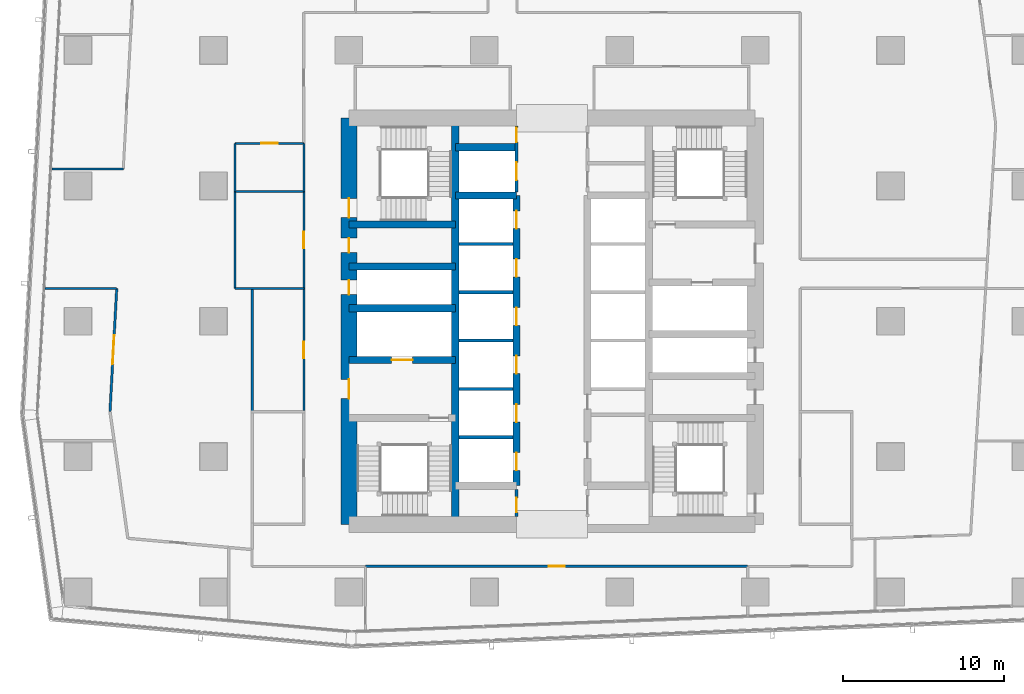
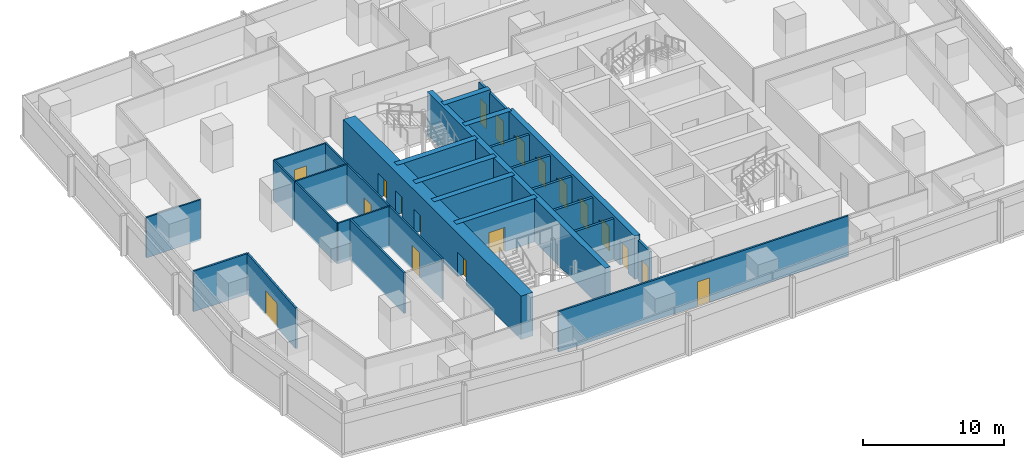
# One storey, part 29 of 40: 29 walls, 19 doors, 19 openings.
"""IFC4 building model written with IfcOpenShell, lengths in metres."""

from ifc_helpers import new_model, si_unit, direction, frame, frame_2d, origin, place, context, subcontext, project, spatial, rectangle, extrude, material, layer, layer_set, type_object, element, fill, save


model = new_model("IFC4")

# Units and contexts
model_context = context("Model", 3, precision=1e-05, world=origin(), true_north=direction((0.0, 1.0)))
body_context = subcontext(model_context, "Body", "Model", "MODEL_VIEW")
ifc_project = project(units=[si_unit("LENGTHUNIT", "METRE"), si_unit("AREAUNIT", "SQUARE_METRE"), si_unit("VOLUMEUNIT", "CUBIC_METRE"), si_unit("PLANEANGLEUNIT", "RADIAN"), si_unit("MASSUNIT", "GRAM", prefix="KILO")], contexts=[model_context])

# Site, building, storey
site_placement = place(None, origin())
site = spatial("IfcSite", under=ifc_project, at=site_placement, CompositionType="ELEMENT")
building_placement = place(site_placement, origin())
building = spatial("IfcBuilding", under=site, at=building_placement, Name="Rekha Terrace Tower", CompositionType="ELEMENT")
storey_placement = place(building_placement, frame((0.0, 0.0, 110.300048828125)))
storey = spatial("IfcBuildingStorey", under=building, at=storey_placement, Name="L27", CompositionType="ELEMENT", Elevation=110.300048828125)

# Wall
ifc_material_1 = material(Name="Concrete M70", Category="concrete")
ifc_layer_1 = layer(ifc_material_1, 0.449951171875)
ifc_layer_set_1 = layer_set([ifc_layer_1], Name="Concrete M70")
wall_type_1 = type_object("IfcWallType", Name="CI2 450 core internal shear wall", PredefinedType="SHEAR", material=ifc_layer_set_1)
wall_1_placement = place(storey_placement, frame((31.800048828125, 21.0, 0.0), z_axis=(0.0, 0.0, 1.0), x_axis=(0.0, 1.0, 0.0)))
element("IfcWall", 1, at=wall_1_placement, inside=storey, type_object=wall_type_1, Name="Core wall X318 L27", PredefinedType="SHEAR", context=body_context, shape_type="SweptSolid", body=[
    extrude(rectangle(XDim=25.199951171875, YDim=0.449951171875, at=frame_2d((12.60009765625, 0.0))), origin(), (0.0, 0.0, 1.0), 3.75),
])

# Wall, openings, doors
wall_2_placement = place(storey_placement, frame((35.60009765625, 23.39990234375, 0.0), z_axis=(0.0, 0.0, 1.0), x_axis=(0.0, 1.0, 0.0)))
wall_2 = element("IfcWall", 2, at=wall_2_placement, inside=storey, type_object=wall_type_1, Name="Core wall X356 L27", PredefinedType="SHEAR", context=body_context, shape_type="SweptSolid", body=[
    extrude(rectangle(XDim=18.0, YDim=0.449951171875, at=frame_2d((9.0, 0.0))), origin(), (0.0, 0.0, 1.0), 3.75),
])
opening_1_placement = place(wall_2_placement, frame((0.949951171875, 0.0, 0.0)))
opening_1 = element("IfcOpeningElement", 3, at=opening_1_placement, cuts=wall_2, Name="Opening LD1", PredefinedType="OPENING", context=body_context, shape_type="SweptSolid", body=[
    extrude(rectangle(XDim=1.10009765625, YDim=2.10009765625, at=frame_2d((0.550048828125, 1.050048828125))), frame((0.0, 0.23486328125, 0.0), z_axis=(0.0, -1.0, 0.0), x_axis=(1.0, 0.0, 0.0)), (0.0, 0.0, 1.0), 0.469970703125),
])
opening_2_placement = place(wall_2_placement, frame((3.949951171875, 0.0, 0.0)))
opening_2 = element("IfcOpeningElement", 4, at=opening_2_placement, cuts=wall_2, Name="Opening LD1", PredefinedType="OPENING", context=body_context, shape_type="SweptSolid", body=[
    extrude(rectangle(XDim=1.10009765625, YDim=2.10009765625, at=frame_2d((0.550048828125, 1.050048828125))), frame((0.0, 0.23486328125, 0.0), z_axis=(0.0, -1.0, 0.0), x_axis=(1.0, 0.0, 0.0)), (0.0, 0.0, 1.0), 0.469970703125),
])
opening_3_placement = place(wall_2_placement, frame((6.949951171875, 0.0, 0.0)))
opening_3 = element("IfcOpeningElement", 5, at=opening_3_placement, cuts=wall_2, Name="Opening LD1", PredefinedType="OPENING", context=body_context, shape_type="SweptSolid", body=[
    extrude(rectangle(XDim=1.10009765625, YDim=2.10009765625, at=frame_2d((0.550048828125, 1.050048828125))), frame((0.0, 0.23486328125, 0.0), z_axis=(0.0, -1.0, 0.0), x_axis=(1.0, 0.0, 0.0)), (0.0, 0.0, 1.0), 0.469970703125),
])
opening_4_placement = place(wall_2_placement, frame((9.949951171875, 0.0, 0.0)))
opening_4 = element("IfcOpeningElement", 6, at=opening_4_placement, cuts=wall_2, Name="Opening LD1", PredefinedType="OPENING", context=body_context, shape_type="SweptSolid", body=[
    extrude(rectangle(XDim=1.10009765625, YDim=2.10009765625, at=frame_2d((0.550048828125, 1.050048828125))), frame((0.0, 0.23486328125, 0.0), z_axis=(0.0, -1.0, 0.0), x_axis=(1.0, 0.0, 0.0)), (0.0, 0.0, 1.0), 0.469970703125),
])
opening_5_placement = place(wall_2_placement, frame((12.949951171875, 0.0, 0.0)))
opening_5 = element("IfcOpeningElement", 7, at=opening_5_placement, cuts=wall_2, Name="Opening LD1", PredefinedType="OPENING", context=body_context, shape_type="SweptSolid", body=[
    extrude(rectangle(XDim=1.10009765625, YDim=2.10009765625, at=frame_2d((0.550048828125, 1.050048828125))), frame((0.0, 0.23486328125, 0.0), z_axis=(0.0, -1.0, 0.0), x_axis=(1.0, 0.0, 0.0)), (0.0, 0.0, 1.0), 0.469970703125),
])
opening_6_placement = place(wall_2_placement, frame((15.949951171875, 0.0, 0.0)))
opening_6 = element("IfcOpeningElement", 8, at=opening_6_placement, cuts=wall_2, Name="Opening LD1", PredefinedType="OPENING", context=body_context, shape_type="SweptSolid", body=[
    extrude(rectangle(XDim=1.10009765625, YDim=2.10009765625, at=frame_2d((0.550048828125, 1.050048828125))), frame((0.0, 0.23486328125, 0.0), z_axis=(0.0, -1.0, 0.0), x_axis=(1.0, 0.0, 0.0)), (0.0, 0.0, 1.0), 0.469970703125),
])
ifc_material_2 = material(Name="Stainless steel sliding landing door", Category="steel")
door_type_1 = type_object("IfcDoorType", Name="LD1 1100x2100 lift landing door", OperationType="SLIDING_TO_LEFT", PredefinedType="USERDEFINED", material=ifc_material_2)
door_1_placement = place(opening_1_placement, origin())
door_1 = element("IfcDoor", 9, at=door_1_placement, inside=storey, type_object=door_type_1, Name="Lift B1 landing door L27", ObjectType="LIFT LANDING DOOR", OperationType="SLIDING_TO_LEFT", OverallHeight=2.10009765625, OverallWidth=1.10009765625, PredefinedType="USERDEFINED", context=body_context, shape_type="SweptSolid", body=[
    extrude(rectangle(XDim=1.10009765625, YDim=2.10009765625, at=frame_2d((0.550048828125, 1.050048828125))), frame((0.0, 0.02490234375, 0.0), z_axis=(0.0, -1.0, 0.0), x_axis=(1.0, 0.0, 0.0)), (0.0, 0.0, 1.0), 0.050048828125),
])
fill(opening_1, door_1)
door_2_placement = place(opening_2_placement, origin())
door_2 = element("IfcDoor", 10, at=door_2_placement, inside=storey, type_object=door_type_1, Name="Lift B2 landing door L27", ObjectType="LIFT LANDING DOOR", OperationType="SLIDING_TO_LEFT", OverallHeight=2.10009765625, OverallWidth=1.10009765625, PredefinedType="USERDEFINED", context=body_context, shape_type="SweptSolid", body=[
    extrude(rectangle(XDim=1.10009765625, YDim=2.10009765625, at=frame_2d((0.550048828125, 1.050048828125))), frame((0.0, 0.02490234375, 0.0), z_axis=(0.0, -1.0, 0.0), x_axis=(1.0, 0.0, 0.0)), (0.0, 0.0, 1.0), 0.050048828125),
])
fill(opening_2, door_2)
door_3_placement = place(opening_3_placement, origin())
door_3 = element("IfcDoor", 11, at=door_3_placement, inside=storey, type_object=door_type_1, Name="Lift B3 landing door L27", ObjectType="LIFT LANDING DOOR", OperationType="SLIDING_TO_LEFT", OverallHeight=2.10009765625, OverallWidth=1.10009765625, PredefinedType="USERDEFINED", context=body_context, shape_type="SweptSolid", body=[
    extrude(rectangle(XDim=1.10009765625, YDim=2.10009765625, at=frame_2d((0.550048828125, 1.050048828125))), frame((0.0, 0.02490234375, 0.0), z_axis=(0.0, -1.0, 0.0), x_axis=(1.0, 0.0, 0.0)), (0.0, 0.0, 1.0), 0.050048828125),
])
fill(opening_3, door_3)
door_4_placement = place(opening_4_placement, origin())
door_4 = element("IfcDoor", 12, at=door_4_placement, inside=storey, type_object=door_type_1, Name="Lift B4 landing door L27", ObjectType="LIFT LANDING DOOR", OperationType="SLIDING_TO_LEFT", OverallHeight=2.10009765625, OverallWidth=1.10009765625, PredefinedType="USERDEFINED", context=body_context, shape_type="SweptSolid", body=[
    extrude(rectangle(XDim=1.10009765625, YDim=2.10009765625, at=frame_2d((0.550048828125, 1.050048828125))), frame((0.0, 0.02490234375, 0.0), z_axis=(0.0, -1.0, 0.0), x_axis=(1.0, 0.0, 0.0)), (0.0, 0.0, 1.0), 0.050048828125),
])
fill(opening_4, door_4)
door_5_placement = place(opening_5_placement, origin())
door_5 = element("IfcDoor", 13, at=door_5_placement, inside=storey, type_object=door_type_1, Name="Lift B5 landing door L27", ObjectType="LIFT LANDING DOOR", OperationType="SLIDING_TO_LEFT", OverallHeight=2.10009765625, OverallWidth=1.10009765625, PredefinedType="USERDEFINED", context=body_context, shape_type="SweptSolid", body=[
    extrude(rectangle(XDim=1.10009765625, YDim=2.10009765625, at=frame_2d((0.550048828125, 1.050048828125))), frame((0.0, 0.02490234375, 0.0), z_axis=(0.0, -1.0, 0.0), x_axis=(1.0, 0.0, 0.0)), (0.0, 0.0, 1.0), 0.050048828125),
])
fill(opening_5, door_5)
door_6_placement = place(opening_6_placement, origin())
door_6 = element("IfcDoor", 14, at=door_6_placement, inside=storey, type_object=door_type_1, Name="Lift B6 landing door L27", ObjectType="LIFT LANDING DOOR", OperationType="SLIDING_TO_LEFT", OverallHeight=2.10009765625, OverallWidth=1.10009765625, PredefinedType="USERDEFINED", context=body_context, shape_type="SweptSolid", body=[
    extrude(rectangle(XDim=1.10009765625, YDim=2.10009765625, at=frame_2d((0.550048828125, 1.050048828125))), frame((0.0, 0.02490234375, 0.0), z_axis=(0.0, -1.0, 0.0), x_axis=(1.0, 0.0, 0.0)), (0.0, 0.0, 1.0), 0.050048828125),
])
fill(opening_6, door_6)

# Walls
for number, where, z_axis, x_axis, name in (
    (15, (31.800048828125, 41.39990234375, 0.0), (0.0, 0.0, 1.0), (1.0, 0.0, 0.0), "Core wall Y414W L27"),
    (16, (31.800048828125, 44.39990234375, 0.0), (0.0, 0.0, 1.0), (1.0, 0.0, 0.0), "Core wall Y444W L27"),
):
    element("IfcWall", number, at=place(storey_placement, frame(where, z_axis=z_axis, x_axis=x_axis)), inside=storey, type_object=wall_type_1, Name=name, PredefinedType="SHEAR", context=body_context, shape_type="SweptSolid", body=[
        extrude(rectangle(XDim=3.800048828125, YDim=0.449951171875, at=frame_2d((1.89990234375, 0.0))), origin(), (0.0, 0.0, 1.0), 3.75),
    ])

# Wall, opening, door
wall_3_placement = place(storey_placement, frame((25.199951171875, 31.199951171875, 0.0), z_axis=(0.0, 0.0, 1.0), x_axis=(1.0, 0.0, 0.0)))
wall_3 = element("IfcWall", 17, at=wall_3_placement, inside=storey, type_object=wall_type_1, Name="Core wall Y312W L27", PredefinedType="SHEAR", context=body_context, shape_type="SweptSolid", body=[
    extrude(rectangle(XDim=6.60009765625, YDim=0.449951171875, at=frame_2d((3.300048828125, 0.0))), origin(), (0.0, 0.0, 1.0), 3.75),
])
opening_7_placement = place(wall_3_placement, frame((2.64990234375, 0.0, 0.0)))
opening_7 = element("IfcOpeningElement", 18, at=opening_7_placement, cuts=wall_3, Name="Opening LD2", PredefinedType="OPENING", context=body_context, shape_type="SweptSolid", body=[
    extrude(rectangle(XDim=1.300048828125, YDim=2.10009765625, at=frame_2d((0.64990234375, 1.050048828125))), frame((0.0, 0.23486328125, 0.0), z_axis=(0.0, -1.0, 0.0), x_axis=(1.0, 0.0, 0.0)), (0.0, 0.0, 1.0), 0.469970703125),
])
door_type_2 = type_object("IfcDoorType", Name="LD2 1300x2100 fire lift landing door", OperationType="SLIDING_TO_LEFT", PredefinedType="USERDEFINED", material=ifc_material_2)
door_7_placement = place(opening_7_placement, origin())
door_7 = element("IfcDoor", 19, at=door_7_placement, inside=storey, type_object=door_type_2, Name="Lift FL1 landing door L27", ObjectType="LIFT LANDING DOOR", OperationType="SLIDING_TO_LEFT", OverallHeight=2.10009765625, OverallWidth=1.300048828125, PredefinedType="USERDEFINED", context=body_context, shape_type="SweptSolid", body=[
    extrude(rectangle(XDim=1.300048828125, YDim=2.10009765625, at=frame_2d((0.64990234375, 1.050048828125))), frame((0.0, 0.02490234375, 0.0), z_axis=(0.0, -1.0, 0.0), x_axis=(1.0, 0.0, 0.0)), (0.0, 0.0, 1.0), 0.050048828125),
])
fill(opening_7, door_7)

# Walls
for number, where, z_axis, x_axis, name in (
    (20, (25.199951171875, 34.39990234375, 0.0), (0.0, 0.0, 1.0), (1.0, 0.0, 0.0), "Core wall Y344W L27"),
    (21, (25.199951171875, 37.0, 0.0), (0.0, 0.0, 1.0), (1.0, 0.0, 0.0), "Core wall Y370W L27"),
    (22, (25.199951171875, 39.60009765625, 0.0), (0.0, 0.0, 1.0), (1.0, 0.0, 0.0), "Core wall Y396W L27"),
):
    element("IfcWall", number, at=place(storey_placement, frame(where, z_axis=z_axis, x_axis=x_axis)), inside=storey, type_object=wall_type_1, Name=name, PredefinedType="SHEAR", context=body_context, shape_type="SweptSolid", body=[
        extrude(rectangle(XDim=6.60009765625, YDim=0.449951171875, at=frame_2d((3.300048828125, 0.0))), origin(), (0.0, 0.0, 1.0), 3.75),
    ])

# Wall, openings, doors
ifc_layer_2 = layer(ifc_material_1, 1.0)
ifc_layer_set_2 = layer_set([ifc_layer_2], Name="Concrete M70")
wall_type_2 = type_object("IfcWallType", Name="SW2 1000 core outer shear wall", PredefinedType="SHEAR", material=ifc_layer_set_2)
wall_4_placement = place(storey_placement, frame((25.199951171875, 21.0, 0.0), z_axis=(0.0, 0.0, 1.0), x_axis=(0.0, 1.0, 0.0)))
wall_4 = element("IfcWall", 23, at=wall_4_placement, inside=storey, type_object=wall_type_2, Name="Core wall W L27", PredefinedType="SHEAR", context=body_context, shape_type="SweptSolid", body=[
    extrude(rectangle(XDim=25.199951171875, YDim=1.0, at=frame_2d((12.60009765625, 0.0))), origin(), (0.0, 0.0, 1.0), 3.75),
])
opening_8_placement = place(wall_4_placement, frame((7.800048828125, 0.0, 0.0)))
opening_8 = element("IfcOpeningElement", 24, at=opening_8_placement, cuts=wall_4, Name="Opening D2", PredefinedType="OPENING", context=body_context, shape_type="SweptSolid", body=[
    extrude(rectangle(XDim=1.199951171875, YDim=2.10009765625, at=frame_2d((0.60009765625, 1.050048828125))), frame((0.0, 0.510009765625, 0.0), z_axis=(0.0, -1.0, 0.0), x_axis=(1.0, 0.0, 0.0)), (0.0, 0.0, 1.0), 1.02001953125),
])
opening_9_placement = place(wall_4_placement, frame((14.25, 0.0, 0.0)))
opening_9 = element("IfcOpeningElement", 25, at=opening_9_placement, cuts=wall_4, Name="Opening D5", PredefinedType="OPENING", context=body_context, shape_type="SweptSolid", body=[
    extrude(rectangle(XDim=0.89990234375, YDim=2.10009765625, at=frame_2d((0.449951171875, 1.050048828125))), frame((0.0, 0.510009765625, 0.0), z_axis=(0.0, -1.0, 0.0), x_axis=(1.0, 0.0, 0.0)), (0.0, 0.0, 1.0), 1.02001953125),
])
opening_10_placement = place(wall_4_placement, frame((16.85009765625, 0.0, 0.0)))
opening_10 = element("IfcOpeningElement", 26, at=opening_10_placement, cuts=wall_4, Name="Opening D5", PredefinedType="OPENING", context=body_context, shape_type="SweptSolid", body=[
    extrude(rectangle(XDim=0.89990234375, YDim=2.10009765625, at=frame_2d((0.449951171875, 1.050048828125))), frame((0.0, 0.510009765625, 0.0), z_axis=(0.0, -1.0, 0.0), x_axis=(1.0, 0.0, 0.0)), (0.0, 0.0, 1.0), 1.02001953125),
])
opening_11_placement = place(wall_4_placement, frame((19.02490234375, 0.0, 0.0)))
opening_11 = element("IfcOpeningElement", 27, at=opening_11_placement, cuts=wall_4, Name="Opening D1", PredefinedType="OPENING", context=body_context, shape_type="SweptSolid", body=[
    extrude(rectangle(XDim=1.199951171875, YDim=2.10009765625, at=frame_2d((0.60009765625, 1.050048828125))), frame((0.0, 0.510009765625, 0.0), z_axis=(0.0, -1.0, 0.0), x_axis=(1.0, 0.0, 0.0)), (0.0, 0.0, 1.0), 1.02001953125),
])
ifc_material_3 = material(Name="Steel fire door", Category="steel")
door_type_3 = type_object("IfcDoorType", Name="D1 1200x2100 stair fire door", OperationType="SINGLE_SWING_RIGHT", PredefinedType="DOOR", material=ifc_material_3)
door_8_placement = place(opening_11_placement, origin())
door_8 = element("IfcDoor", 28, at=door_8_placement, inside=storey, type_object=door_type_3, Name="Stair ST4 door L27", OperationType="SINGLE_SWING_RIGHT", OverallHeight=2.10009765625, OverallWidth=1.199951171875, PredefinedType="DOOR", context=body_context, shape_type="SweptSolid", body=[
    extrude(rectangle(XDim=1.199951171875, YDim=2.10009765625, at=frame_2d((0.60009765625, 1.050048828125))), frame((0.0, 0.02490234375, 0.0), z_axis=(0.0, -1.0, 0.0), x_axis=(1.0, 0.0, 0.0)), (0.0, 0.0, 1.0), 0.050048828125),
])
fill(opening_11, door_8)
door_type_4 = type_object("IfcDoorType", Name="D2 1200x2100 firefighting lobby door", OperationType="SINGLE_SWING_LEFT", PredefinedType="DOOR", material=ifc_material_3)
door_9_placement = place(opening_8_placement, origin())
door_9 = element("IfcDoor", 29, at=door_9_placement, inside=storey, type_object=door_type_4, Name="Door flb1 L27", OperationType="SINGLE_SWING_LEFT", OverallHeight=2.10009765625, OverallWidth=1.199951171875, PredefinedType="DOOR", context=body_context, shape_type="SweptSolid", body=[
    extrude(rectangle(XDim=1.199951171875, YDim=2.10009765625, at=frame_2d((0.60009765625, 1.050048828125))), frame((0.0, 0.02490234375, 0.0), z_axis=(0.0, -1.0, 0.0), x_axis=(1.0, 0.0, 0.0)), (0.0, 0.0, 1.0), 0.050048828125),
])
fill(opening_8, door_9)
door_type_5 = type_object("IfcDoorType", Name="D5 900x2100 riser access door", OperationType="SINGLE_SWING_LEFT", PredefinedType="DOOR", material=ifc_material_3)
door_10_placement = place(opening_9_placement, origin())
door_10 = element("IfcDoor", 30, at=door_10_placement, inside=storey, type_object=door_type_5, Name="Door rs1 L27", OperationType="SINGLE_SWING_LEFT", OverallHeight=2.10009765625, OverallWidth=0.89990234375, PredefinedType="DOOR", context=body_context, shape_type="SweptSolid", body=[
    extrude(rectangle(XDim=0.89990234375, YDim=2.10009765625, at=frame_2d((0.449951171875, 1.050048828125))), frame((0.0, 0.02490234375, 0.0), z_axis=(0.0, -1.0, 0.0), x_axis=(1.0, 0.0, 0.0)), (0.0, 0.0, 1.0), 0.050048828125),
])
fill(opening_9, door_10)
door_11_placement = place(opening_10_placement, origin())
door_11 = element("IfcDoor", 31, at=door_11_placement, inside=storey, type_object=door_type_5, Name="Door elw L27", OperationType="SINGLE_SWING_LEFT", OverallHeight=2.10009765625, OverallWidth=0.89990234375, PredefinedType="DOOR", context=body_context, shape_type="SweptSolid", body=[
    extrude(rectangle(XDim=0.89990234375, YDim=2.10009765625, at=frame_2d((0.449951171875, 1.050048828125))), frame((0.0, 0.02490234375, 0.0), z_axis=(0.0, -1.0, 0.0), x_axis=(1.0, 0.0, 0.0)), (0.0, 0.0, 1.0), 0.050048828125),
])
fill(opening_10, door_11)

# Wall
ifc_material_4 = material(Name="Concrete block masonry, 1 hour", Category="masonry")
ifc_layer_3 = layer(ifc_material_4, 0.14990234375)
ifc_layer_set_3 = layer_set([ifc_layer_3], Name="Concrete block masonry, 1 hour")
wall_type_3 = type_object("IfcWallType", Name="WP2 150 tenancy partition", PredefinedType="PARTITIONING", material=ifc_layer_set_3)
wall_5_placement = place(storey_placement, frame((19.199951171875, 35.574951171875, 0.0), z_axis=(0.0, 0.0, 1.0), x_axis=(0.0, -1.0, 0.0)))
element("IfcWall", 32, at=wall_5_placement, inside=storey, type_object=wall_type_3, Name="Partition L27-O2", PredefinedType="PARTITIONING", context=body_context, shape_type="SweptSolid", body=[
    extrude(rectangle(XDim=7.64990234375, YDim=0.14990234375, at=frame_2d((3.824951171875, 0.0))), origin(), (0.0, 0.0, 1.0), 3.5),
])

# Wall, opening, door
wall_6_placement = place(storey_placement, frame((10.381103515625, 28.006103515625, 0.0), z_axis=(0.0, 0.0, 1.0), x_axis=(0.054839895522, 0.998495160659, 0.0)))
wall_6 = element("IfcWall", 33, at=wall_6_placement, inside=storey, type_object=wall_type_3, Name="Partition L27-O2", PredefinedType="PARTITIONING", context=body_context, shape_type="SweptSolid", body=[
    extrude(rectangle(XDim=7.639404296875, YDim=0.14990234375, at=frame_2d((3.81982421875, 0.0))), origin(), (0.0, 0.0, 1.0), 3.5),
])
opening_12_placement = place(wall_6_placement, frame((2.919921875, 0.0, 0.0)))
opening_12 = element("IfcOpeningElement", 34, at=opening_12_placement, cuts=wall_6, Name="Opening D8", PredefinedType="OPENING", context=body_context, shape_type="SweptSolid", body=[
    extrude(rectangle(XDim=1.800048828125, YDim=2.10009765625, at=frame_2d((0.89990234375, 1.050048828125))), frame((0.0, 0.0849609375, 0.0), z_axis=(0.0, -1.0, 0.0), x_axis=(1.0, 0.0, 0.0)), (0.0, 0.0, 1.0), 0.169921875),
])
ifc_material_5 = material(Name="Timber fire door", Category="wood")
door_type_6 = type_object("IfcDoorType", Name="D8 1800x2100 double leaf door", OperationType="DOUBLE_DOOR_SINGLE_SWING", PredefinedType="DOOR", material=ifc_material_5)
door_12_placement = place(opening_12_placement, origin())
door_12 = element("IfcDoor", 35, at=door_12_placement, inside=storey, type_object=door_type_6, Name="Door meeting room L27", OperationType="DOUBLE_DOOR_SINGLE_SWING", OverallHeight=2.10009765625, OverallWidth=1.800048828125, PredefinedType="DOOR", context=body_context, shape_type="SweptSolid", body=[
    extrude(rectangle(XDim=1.800048828125, YDim=2.10009765625, at=frame_2d((0.89990234375, 1.050048828125))), frame((0.0, 0.02490234375, 0.0), z_axis=(0.0, -1.0, 0.0), x_axis=(1.0, 0.0, 0.0)), (0.0, 0.0, 1.0), 0.050048828125),
])
fill(opening_12, door_12)

# Wall
wall_7_placement = place(storey_placement, frame((10.800048828125, 35.634033203125, 0.0), z_axis=(0.0, 0.0, 1.0), x_axis=(-1.0, 0.0, 0.0)))
element("IfcWall", 36, at=wall_7_placement, inside=storey, type_object=wall_type_3, Name="Partition L27-O2", PredefinedType="PARTITIONING", context=body_context, shape_type="SweptSolid", body=[
    extrude(rectangle(XDim=4.45703125, YDim=0.14990234375, at=frame_2d((2.228515625, 0.0))), origin(), (0.0, 0.0, 1.0), 3.5),
])

# Wall, opening, door
wall_8_placement = place(storey_placement, frame((26.23388671875, 18.39990234375, 0.0), z_axis=(0.0, 0.0, 1.0), x_axis=(1.0, 0.0, 0.0)))
wall_8 = element("IfcWall", 37, at=wall_8_placement, inside=storey, type_object=wall_type_3, Name="Partition L27-O3", PredefinedType="PARTITIONING", context=body_context, shape_type="SweptSolid", body=[
    extrude(rectangle(XDim=23.7021484375, YDim=0.14990234375, at=frame_2d((11.85107421875, 0.0))), origin(), (0.0, 0.0, 1.0), 3.5),
])
opening_13_placement = place(wall_8_placement, frame((11.35107421875, 0.0, 0.0)))
opening_13 = element("IfcOpeningElement", 38, at=opening_13_placement, cuts=wall_8, Name="Opening D9", PredefinedType="OPENING", context=body_context, shape_type="SweptSolid", body=[
    extrude(rectangle(XDim=1.0, YDim=2.10009765625, at=frame_2d((0.5, 1.050048828125))), frame((0.0, 0.0849609375, 0.0), z_axis=(0.0, -1.0, 0.0), x_axis=(1.0, 0.0, 0.0)), (0.0, 0.0, 1.0), 0.169921875),
])
door_type_7 = type_object("IfcDoorType", Name="D9 1000x2100 office door", OperationType="SINGLE_SWING_LEFT", PredefinedType="DOOR", material=ifc_material_5)
door_13_placement = place(opening_13_placement, origin())
door_13 = element("IfcDoor", 39, at=door_13_placement, inside=storey, type_object=door_type_7, Name="Door open-plan office L27", OperationType="SINGLE_SWING_LEFT", OverallHeight=2.10009765625, OverallWidth=1.0, PredefinedType="DOOR", context=body_context, shape_type="SweptSolid", body=[
    extrude(rectangle(XDim=1.0, YDim=2.10009765625, at=frame_2d((0.5, 1.050048828125))), frame((0.0, 0.02490234375, 0.0), z_axis=(0.0, -1.0, 0.0), x_axis=(1.0, 0.0, 0.0)), (0.0, 0.0, 1.0), 0.050048828125),
])
fill(opening_13, door_13)

# Walls
ifc_material_6 = material(Name="Two layers of fire-rated gypsum board each side on steel studs, acoustic quilt, 1 hour", Category="steel")
ifc_layer_4 = layer(ifc_material_6, 0.125)
ifc_layer_set_4 = layer_set([ifc_layer_4], Name="Two layers of fire-rated gypsum board each side on steel studs, acoustic quilt, 1 hour")
wall_type_4 = type_object("IfcWallType", Name="WP3 125 office partition", PredefinedType="PARTITIONING", material=ifc_layer_set_4)
wall_9_placement = place(storey_placement, frame((11.2060546875, 43.0458984375, 0.0), z_axis=(0.0, 0.0, 1.0), x_axis=(-1.0, 0.0, 0.0)))
element("IfcWall", 40, at=wall_9_placement, inside=storey, type_object=wall_type_4, Name="Partition L27-15", PredefinedType="PARTITIONING", context=body_context, shape_type="SweptSolid", body=[
    extrude(rectangle(XDim=4.427001953125, YDim=0.125, at=frame_2d((2.21337890625, 0.0))), origin(), (0.0, 0.0, 1.0), 3.5),
])
wall_10_placement = place(storey_placement, frame((18.14990234375, 35.637939453125, 0.0), z_axis=(0.0, 0.0, 1.0), x_axis=(0.0, 1.0, 0.0)))
element("IfcWall", 41, at=wall_10_placement, inside=storey, type_object=wall_type_4, Name="Partition L27-16", PredefinedType="PARTITIONING", context=body_context, shape_type="SweptSolid", body=[
    extrude(rectangle(XDim=5.9990234375, YDim=0.125, at=frame_2d((2.99951171875, 0.0))), origin(), (0.0, 0.0, 1.0), 3.5),
])
wall_11_placement = place(storey_placement, frame((18.14990234375, 41.636962890625, 0.0), z_axis=(0.0, 0.0, 1.0), x_axis=(1.0, 0.0, 0.0)))
element("IfcWall", 42, at=wall_11_placement, inside=storey, type_object=wall_type_4, Name="Partition L27-16", PredefinedType="PARTITIONING", context=body_context, shape_type="SweptSolid", body=[
    extrude(rectangle(XDim=4.25, YDim=0.125, at=frame_2d((2.125, 0.0))), origin(), (0.0, 0.0, 1.0), 3.5),
])

# Wall, opening, door
wall_12_placement = place(storey_placement, frame((22.39990234375, 41.636962890625, 0.0), z_axis=(0.0, 0.0, 1.0), x_axis=(0.0, -1.0, 0.0)))
wall_12 = element("IfcWall", 43, at=wall_12_placement, inside=storey, type_object=wall_type_4, Name="Partition L27-16", PredefinedType="PARTITIONING", context=body_context, shape_type="SweptSolid", body=[
    extrude(rectangle(XDim=5.9990234375, YDim=0.125, at=frame_2d((2.99951171875, 0.0))), origin(), (0.0, 0.0, 1.0), 3.5),
])
opening_14_placement = place(wall_12_placement, frame((2.4990234375, 0.0, 0.0)))
opening_14 = element("IfcOpeningElement", 44, at=opening_14_placement, cuts=wall_12, Name="Opening D9", PredefinedType="OPENING", context=body_context, shape_type="SweptSolid", body=[
    extrude(rectangle(XDim=1.0, YDim=2.10009765625, at=frame_2d((0.5, 1.050048828125))), frame((0.0, 0.072509765625, 0.0), z_axis=(0.0, -1.0, 0.0), x_axis=(1.0, 0.0, 0.0)), (0.0, 0.0, 1.0), 0.14501953125),
])
door_14_placement = place(opening_14_placement, origin())
door_14 = element("IfcDoor", 45, at=door_14_placement, inside=storey, type_object=door_type_7, Name="Door reception L27", OperationType="SINGLE_SWING_LEFT", OverallHeight=2.10009765625, OverallWidth=1.0, PredefinedType="DOOR", context=body_context, shape_type="SweptSolid", body=[
    extrude(rectangle(XDim=1.0, YDim=2.10009765625, at=frame_2d((0.5, 1.050048828125))), frame((0.0, 0.02490234375, 0.0), z_axis=(0.0, -1.0, 0.0), x_axis=(1.0, 0.0, 0.0)), (0.0, 0.0, 1.0), 0.050048828125),
])
fill(opening_14, door_14)

# Walls
wall_13_placement = place(storey_placement, frame((22.39990234375, 35.637939453125, 0.0), z_axis=(0.0, 0.0, 1.0), x_axis=(-1.0, 0.0, 0.0)))
element("IfcWall", 46, at=wall_13_placement, inside=storey, type_object=wall_type_4, Name="Partition L27-16", PredefinedType="PARTITIONING", context=body_context, shape_type="SweptSolid", body=[
    extrude(rectangle(XDim=4.25, YDim=0.125, at=frame_2d((2.125, 0.0))), origin(), (0.0, 0.0, 1.0), 3.5),
])
wall_14_placement = place(storey_placement, frame((18.14990234375, 41.636962890625, 0.0), z_axis=(0.0, 0.0, 1.0), x_axis=(0.0, 1.0, 0.0)))
element("IfcWall", 47, at=wall_14_placement, inside=storey, type_object=wall_type_4, Name="Partition L27-17", PredefinedType="PARTITIONING", context=body_context, shape_type="SweptSolid", body=[
    extrude(rectangle(XDim=3.0, YDim=0.125, at=frame_2d((1.5, 0.0))), origin(), (0.0, 0.0, 1.0), 3.5),
])

# Wall, opening, door
wall_15_placement = place(storey_placement, frame((18.14990234375, 44.636962890625, 0.0), z_axis=(0.0, 0.0, 1.0), x_axis=(1.0, 0.0, 0.0)))
wall_15 = element("IfcWall", 48, at=wall_15_placement, inside=storey, type_object=wall_type_4, Name="Partition L27-17", PredefinedType="PARTITIONING", context=body_context, shape_type="SweptSolid", body=[
    extrude(rectangle(XDim=4.25, YDim=0.125, at=frame_2d((2.125, 0.0))), origin(), (0.0, 0.0, 1.0), 3.5),
])
opening_15_placement = place(wall_15_placement, frame((1.625, 0.0, 0.0)))
opening_15 = element("IfcOpeningElement", 49, at=opening_15_placement, cuts=wall_15, Name="Opening D9", PredefinedType="OPENING", context=body_context, shape_type="SweptSolid", body=[
    extrude(rectangle(XDim=1.0, YDim=2.10009765625, at=frame_2d((0.5, 1.050048828125))), frame((0.0, 0.072509765625, 0.0), z_axis=(0.0, -1.0, 0.0), x_axis=(1.0, 0.0, 0.0)), (0.0, 0.0, 1.0), 0.14501953125),
])
door_15_placement = place(opening_15_placement, origin())
door_15 = element("IfcDoor", 50, at=door_15_placement, inside=storey, type_object=door_type_7, Name="Door print room L27", OperationType="SINGLE_SWING_LEFT", OverallHeight=2.10009765625, OverallWidth=1.0, PredefinedType="DOOR", context=body_context, shape_type="SweptSolid", body=[
    extrude(rectangle(XDim=1.0, YDim=2.10009765625, at=frame_2d((0.5, 1.050048828125))), frame((0.0, 0.02490234375, 0.0), z_axis=(0.0, -1.0, 0.0), x_axis=(1.0, 0.0, 0.0)), (0.0, 0.0, 1.0), 0.050048828125),
])
fill(opening_15, door_15)

# Wall
wall_16_placement = place(storey_placement, frame((22.39990234375, 44.636962890625, 0.0), z_axis=(0.0, 0.0, 1.0), x_axis=(0.0, -1.0, 0.0)))
element("IfcWall", 51, at=wall_16_placement, inside=storey, type_object=wall_type_4, Name="Partition L27-17", PredefinedType="PARTITIONING", context=body_context, shape_type="SweptSolid", body=[
    extrude(rectangle(XDim=3.0, YDim=0.125, at=frame_2d((1.5, 0.0))), origin(), (0.0, 0.0, 1.0), 3.5),
])

# Wall, opening, door
wall_17_placement = place(storey_placement, frame((22.39990234375, 35.636962890625, 0.0), z_axis=(0.0, 0.0, 1.0), x_axis=(0.0, -1.0, 0.0)))
wall_17 = element("IfcWall", 52, at=wall_17_placement, inside=storey, type_object=wall_type_4, Name="Partition L27-21", PredefinedType="PARTITIONING", context=body_context, shape_type="SweptSolid", body=[
    extrude(rectangle(XDim=7.56201171875, YDim=0.125, at=frame_2d((3.781005859375, 0.0))), origin(), (0.0, 0.0, 1.0), 3.5),
])
opening_16_placement = place(wall_17_placement, frame((3.319091796875, 0.0, 0.0)))
opening_16 = element("IfcOpeningElement", 53, at=opening_16_placement, cuts=wall_17, Name="Opening D9", PredefinedType="OPENING", context=body_context, shape_type="SweptSolid", body=[
    extrude(rectangle(XDim=1.0, YDim=2.10009765625, at=frame_2d((0.5, 1.050048828125))), frame((0.0, 0.072509765625, 0.0), z_axis=(0.0, -1.0, 0.0), x_axis=(1.0, 0.0, 0.0)), (0.0, 0.0, 1.0), 0.14501953125),
])
door_16_placement = place(opening_16_placement, origin())
door_16 = element("IfcDoor", 54, at=door_16_placement, inside=storey, type_object=door_type_7, Name="Door reception L27", OperationType="SINGLE_SWING_LEFT", OverallHeight=2.10009765625, OverallWidth=1.0, PredefinedType="DOOR", context=body_context, shape_type="SweptSolid", body=[
    extrude(rectangle(XDim=1.0, YDim=2.10009765625, at=frame_2d((0.5, 1.050048828125))), frame((0.0, 0.02490234375, 0.0), z_axis=(0.0, -1.0, 0.0), x_axis=(1.0, 0.0, 0.0)), (0.0, 0.0, 1.0), 0.050048828125),
])
fill(opening_16, door_16)

# Walls
ifc_material_7 = material(Name="Solid concrete block masonry, 2 hour", Category="masonry")
ifc_layer_5 = layer(ifc_material_7, 0.199951171875)
ifc_layer_set_5 = layer_set([ifc_layer_5], Name="Solid concrete block masonry, 2 hour")
wall_type_5 = type_object("IfcWallType", Name="WS1 200 stair and shaft enclosure", PredefinedType="PARTITIONING", material=ifc_layer_set_5)
for number, where, z_axis, x_axis, name in (
    (55, (32.02490234375, 26.39990234375, 0.0), (0.0, 0.0, 1.0), (1.0, 0.0, 0.0), "Lift shaft divider L27"),
    (56, (32.02490234375, 29.39990234375, 0.0), (0.0, 0.0, 1.0), (1.0, 0.0, 0.0), "Lift shaft divider L27"),
    (57, (32.02490234375, 32.39990234375, 0.0), (0.0, 0.0, 1.0), (1.0, 0.0, 0.0), "Lift shaft divider L27"),
    (58, (32.02490234375, 35.39990234375, 0.0), (0.0, 0.0, 1.0), (1.0, 0.0, 0.0), "Lift shaft divider L27"),
    (59, (32.02490234375, 38.39990234375, 0.0), (0.0, 0.0, 1.0), (1.0, 0.0, 0.0), "Lift shaft divider L27"),
):
    element("IfcWall", number, at=place(storey_placement, frame(where, z_axis=z_axis, x_axis=x_axis)), inside=storey, type_object=wall_type_5, Name=name, PredefinedType="PARTITIONING", context=body_context, shape_type="SweptSolid", body=[
        extrude(rectangle(XDim=3.35009765625, YDim=0.199951171875, at=frame_2d((1.675048828125, 0.0))), origin(), (0.0, 0.0, 1.0), 3.5),
    ])

# Wall, openings, doors
wall_18_placement = place(storey_placement, frame((35.60009765625, 41.625, 0.0), z_axis=(0.0, 0.0, 1.0), x_axis=(0.0, 1.0, 0.0)))
wall_18 = element("IfcWall", 60, at=wall_18_placement, inside=storey, type_object=wall_type_5, Name="Core partition jansv L27", PredefinedType="PARTITIONING", context=body_context, shape_type="SweptSolid", body=[
    extrude(rectangle(XDim=4.074951171875, YDim=0.199951171875, at=frame_2d((2.03759765625, 0.0))), origin(), (0.0, 0.0, 1.0), 3.5),
])
opening_17_placement = place(wall_18_placement, frame((3.087890625, 0.0, 0.0)))
opening_17 = element("IfcOpeningElement", 61, at=opening_17_placement, cuts=wall_18, Name="Opening D5", PredefinedType="OPENING", context=body_context, shape_type="SweptSolid", body=[
    extrude(rectangle(XDim=0.89990234375, YDim=2.10009765625, at=frame_2d((0.449951171875, 1.050048828125))), frame((0.0, 0.10986328125, 0.0), z_axis=(0.0, -1.0, 0.0), x_axis=(1.0, 0.0, 0.0)), (0.0, 0.0, 1.0), 0.219970703125),
])
opening_18_placement = place(wall_18_placement, frame((0.72509765625, 0.0, 0.0)))
opening_18 = element("IfcOpeningElement", 62, at=opening_18_placement, cuts=wall_18, Name="Opening LD1", PredefinedType="OPENING", context=body_context, shape_type="SweptSolid", body=[
    extrude(rectangle(XDim=1.10009765625, YDim=2.10009765625, at=frame_2d((0.550048828125, 1.050048828125))), frame((0.0, 0.10986328125, 0.0), z_axis=(0.0, -1.0, 0.0), x_axis=(1.0, 0.0, 0.0)), (0.0, 0.0, 1.0), 0.219970703125),
])
door_17_placement = place(opening_17_placement, origin())
door_17 = element("IfcDoor", 63, at=door_17_placement, inside=storey, type_object=door_type_5, Name="Door janitor room L27", OperationType="SINGLE_SWING_LEFT", OverallHeight=2.10009765625, OverallWidth=0.89990234375, PredefinedType="DOOR", context=body_context, shape_type="SweptSolid", body=[
    extrude(rectangle(XDim=0.89990234375, YDim=2.10009765625, at=frame_2d((0.449951171875, 1.050048828125))), frame((0.0, 0.02490234375, 0.0), z_axis=(0.0, -1.0, 0.0), x_axis=(1.0, 0.0, 0.0)), (0.0, 0.0, 1.0), 0.050048828125),
])
fill(opening_17, door_17)
door_18_placement = place(opening_18_placement, origin())
door_18 = element("IfcDoor", 64, at=door_18_placement, inside=storey, type_object=door_type_1, Name="Lift SV1 landing door L27", ObjectType="LIFT LANDING DOOR", OperationType="SLIDING_TO_LEFT", OverallHeight=2.10009765625, OverallWidth=1.10009765625, PredefinedType="USERDEFINED", context=body_context, shape_type="SweptSolid", body=[
    extrude(rectangle(XDim=1.10009765625, YDim=2.10009765625, at=frame_2d((0.550048828125, 1.050048828125))), frame((0.0, 0.02490234375, 0.0), z_axis=(0.0, -1.0, 0.0), x_axis=(1.0, 0.0, 0.0)), (0.0, 0.0, 1.0), 0.050048828125),
])
fill(opening_18, door_18)

# Wall, opening, door
wall_19_placement = place(storey_placement, frame((35.60009765625, 21.5, 0.0), z_axis=(0.0, 0.0, 1.0), x_axis=(0.0, 1.0, 0.0)))
wall_19 = element("IfcWall", 65, at=wall_19_placement, inside=storey, type_object=wall_type_5, Name="Core partition west L27", PredefinedType="PARTITIONING", context=body_context, shape_type="SweptSolid", body=[
    extrude(rectangle(XDim=1.675048828125, YDim=0.199951171875, at=frame_2d((0.83740234375, 0.0))), origin(), (0.0, 0.0, 1.0), 3.5),
])
opening_19_placement = place(wall_19_placement, frame((0.25, 0.0, 0.0)))
opening_19 = element("IfcOpeningElement", 66, at=opening_19_placement, cuts=wall_19, Name="Opening D5", PredefinedType="OPENING", context=body_context, shape_type="SweptSolid", body=[
    extrude(rectangle(XDim=0.89990234375, YDim=2.10009765625, at=frame_2d((0.449951171875, 1.050048828125))), frame((0.0, 0.10986328125, 0.0), z_axis=(0.0, -1.0, 0.0), x_axis=(1.0, 0.0, 0.0)), (0.0, 0.0, 1.0), 0.219970703125),
])
door_19_placement = place(opening_19_placement, origin())
door_19 = element("IfcDoor", 67, at=door_19_placement, inside=storey, type_object=door_type_5, Name="Door tenant store L27", OperationType="SINGLE_SWING_LEFT", OverallHeight=2.10009765625, OverallWidth=0.89990234375, PredefinedType="DOOR", context=body_context, shape_type="SweptSolid", body=[
    extrude(rectangle(XDim=0.89990234375, YDim=2.10009765625, at=frame_2d((0.449951171875, 1.050048828125))), frame((0.0, 0.02490234375, 0.0), z_axis=(0.0, -1.0, 0.0), x_axis=(1.0, 0.0, 0.0)), (0.0, 0.0, 1.0), 0.050048828125),
])
fill(opening_19, door_19)

save(model, "model.ifc")
